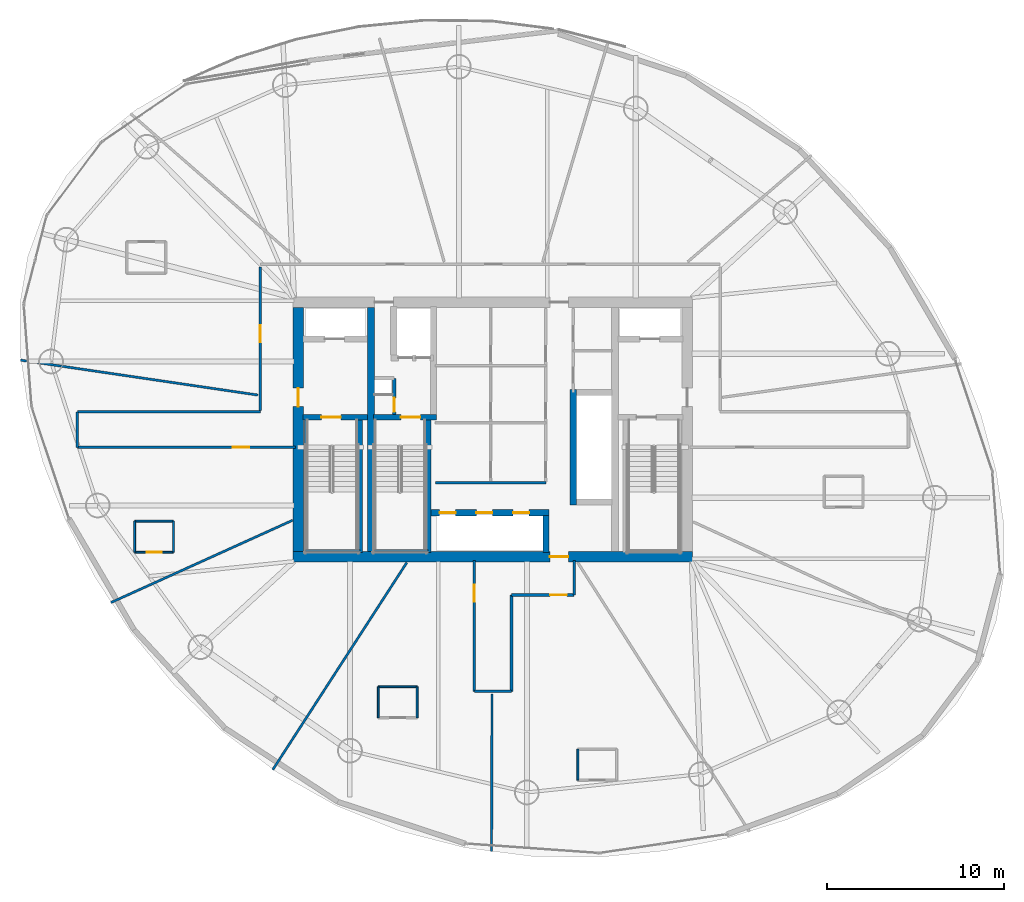
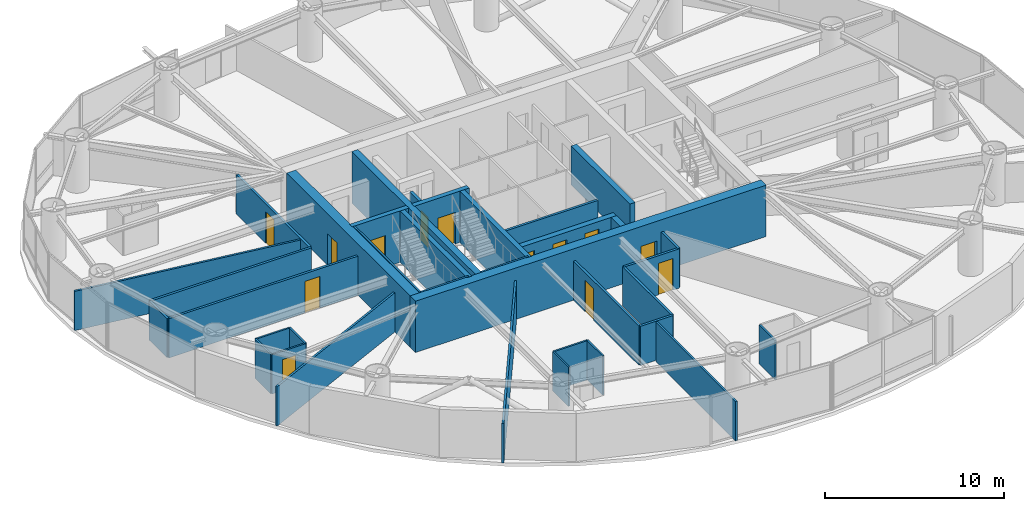
# One storey, part 17 of 22: 36 walls, 13 doors, 13 openings.
"""IFC4 building model written with IfcOpenShell, lengths in metres."""

from ifc_helpers import new_model, si_unit, direction, frame, frame_2d, origin, place, context, subcontext, project, spatial, rectangle, extrude, material, layer, layer_set, type_object, element, fill, save


model = new_model("IFC4")

# Units and contexts
model_context = context("Model", 3, precision=1e-05, world=origin(), true_north=direction((0.0, 1.0)))
body_context = subcontext(model_context, "Body", "Model", "MODEL_VIEW")
ifc_project = project(units=[si_unit("LENGTHUNIT", "METRE"), si_unit("AREAUNIT", "SQUARE_METRE"), si_unit("VOLUMEUNIT", "CUBIC_METRE"), si_unit("PLANEANGLEUNIT", "RADIAN"), si_unit("MASSUNIT", "GRAM", prefix="KILO")], contexts=[model_context])

# Site, building, storey
site_placement = place(None, origin())
site = spatial("IfcSite", under=ifc_project, at=site_placement, CompositionType="ELEMENT")
building_placement = place(site_placement, origin())
building = spatial("IfcBuilding", under=site, at=building_placement, Name="Bramvorn Convention Spire", CompositionType="ELEMENT")
storey_placement = place(building_placement, frame((0.0, 0.0, 134.300048828125)))
storey = spatial("IfcBuildingStorey", under=building, at=storey_placement, Name="L33", CompositionType="ELEMENT", Elevation=134.300048828125)

# Wall, opening, door
ifc_material_1 = material(Name="Concrete C60/70", Category="concrete")
ifc_layer_1 = layer(ifc_material_1, 0.60009765625)
ifc_layer_set_1 = layer_set([ifc_layer_1], Name="Concrete C60/70 - WL-CORE-600")
wall_type_1 = type_object("IfcWallType", Name="WL-CORE-600", PredefinedType="SHEAR", material=ifc_layer_set_1)
wall_1_placement = place(storey_placement, frame((26.699951171875, 18.800048828125, 0.0), z_axis=(0.0, 0.0, 1.0), x_axis=(1.0, 0.0, 0.0)))
wall_1 = element("IfcWall", 1, at=wall_1_placement, inside=storey, type_object=wall_type_1, Name="L33 South RC core shear wall", PredefinedType="SHEAR", context=body_context, shape_type="SweptSolid", body=[
    extrude(rectangle(XDim=22.60009765625, YDim=0.60009765625, at=frame_2d((11.300048828125, 0.0))), origin(), (0.0, 0.0, 1.0), 3.5),
])
opening_1_placement = place(wall_1_placement, frame((14.52001953125, 0.0, 0.0)))
opening_1 = element("IfcOpeningElement", 2, at=opening_1_placement, cuts=wall_1, Name="Opening DL-105", PredefinedType="OPENING", context=body_context, shape_type="SweptSolid", body=[
    extrude(rectangle(XDim=1.050048828125, YDim=2.14990234375, at=frame_2d((0.52490234375, 1.074951171875))), frame((0.0, 0.31005859375, 0.0), z_axis=(0.0, -1.0, 0.0), x_axis=(1.0, 0.0, 0.0)), (0.0, 0.0, 1.0), 0.6201171875),
])
ifc_material_2 = material(Name="Smoke-Sealed Fire Lobby Timber-Core Door", Category="wood")
door_type_1 = type_object("IfcDoorType", Name="DR-LOBBY-1050", OperationType="NOTDEFINED", PredefinedType="DOOR", material=ifc_material_2)
door_1_placement = place(opening_1_placement, origin())
door_1 = element("IfcDoor", 3, at=door_1_placement, inside=storey, type_object=door_type_1, Name="L33 South Lift Lobby fire door", OperationType="SINGLE_SWING_RIGHT", OverallHeight=2.14990234375, OverallWidth=1.050048828125, PredefinedType="DOOR", context=body_context, shape_type="SweptSolid", body=[
    extrude(rectangle(XDim=1.050048828125, YDim=2.14990234375, at=frame_2d((0.52490234375, 1.074951171875))), frame((0.0, 0.02490234375, 0.0), z_axis=(0.0, -1.0, 0.0), x_axis=(1.0, 0.0, 0.0)), (0.0, 0.0, 1.0), 0.050048828125),
])
fill(opening_1, door_1)

wall_2_placement = place(storey_placement, frame((27.0, 19.10009765625, 0.0), z_axis=(0.0, 0.0, 1.0), x_axis=(0.0, 1.0, 0.0)))
wall_2 = element("IfcWall", 4, at=wall_2_placement, inside=storey, type_object=wall_type_1, Name="L33 West RC core shear wall", PredefinedType="SHEAR", context=body_context, shape_type="SweptSolid", body=[
    extrude(rectangle(XDim=13.7998046875, YDim=0.60009765625, at=frame_2d((6.89990234375, 0.0))), origin(), (0.0, 0.0, 1.0), 3.5),
])
opening_2_placement = place(wall_2_placement, frame((8.199951171875, 0.0, 0.0)))
opening_2 = element("IfcOpeningElement", 5, at=opening_2_placement, cuts=wall_2, Name="Opening DL-105", PredefinedType="OPENING", context=body_context, shape_type="SweptSolid", body=[
    extrude(rectangle(XDim=1.050048828125, YDim=2.14990234375, at=frame_2d((0.52490234375, 1.074951171875))), frame((0.0, 0.31005859375, 0.0), z_axis=(0.0, -1.0, 0.0), x_axis=(1.0, 0.0, 0.0)), (0.0, 0.0, 1.0), 0.6201171875),
])
door_2_placement = place(opening_2_placement, origin())
door_2 = element("IfcDoor", 6, at=door_2_placement, inside=storey, type_object=door_type_1, Name="L33 West Firefighting Lobby corridor door", OperationType="SINGLE_SWING_RIGHT", OverallHeight=2.14990234375, OverallWidth=1.050048828125, PredefinedType="DOOR", context=body_context, shape_type="SweptSolid", body=[
    extrude(rectangle(XDim=1.050048828125, YDim=2.14990234375, at=frame_2d((0.52490234375, 1.074951171875))), frame((0.0, 0.02490234375, 0.0), z_axis=(0.0, -1.0, 0.0), x_axis=(1.0, 0.0, 0.0)), (0.0, 0.0, 1.0), 0.050048828125),
])
fill(opening_2, door_2)

# Wall
ifc_material_3 = material(Name="Concrete C50/60", Category="concrete")
ifc_layer_2 = layer(ifc_material_3, 0.35009765625)
ifc_layer_set_2 = layer_set([ifc_layer_2], Name="Concrete C50/60 - WL-CORE-INT-350")
wall_type_2 = type_object("IfcWallType", Name="WL-CORE-INT-350", PredefinedType="SHEAR", material=ifc_layer_set_2)
wall_3_placement = place(storey_placement, frame((42.550048828125, 21.72998046875, 0.0), z_axis=(0.0, 0.0, 1.0), x_axis=(0.0, 1.0, 0.0)))
element("IfcWall", 7, at=wall_3_placement, inside=storey, type_object=wall_type_2, Name="L33 High-rise lift bank west wall", PredefinedType="SHEAR", context=body_context, shape_type="SweptSolid", body=[
    extrude(rectangle(XDim=6.5400390625, YDim=0.35009765625, at=frame_2d((3.27001953125, 0.0))), origin(), (0.0, 0.0, 1.0), 2.675048828125),
])

# Wall, openings, doors
wall_4_placement = place(storey_placement, frame((34.489990234375, 21.300048828125, 0.0), z_axis=(0.0, 0.0, 1.0), x_axis=(1.0, 0.0, 0.0)))
wall_4 = element("IfcWall", 8, at=wall_4_placement, inside=storey, type_object=wall_type_2, Name="L33 Mid-rise bank north landing wall", PredefinedType="SHEAR", context=body_context, shape_type="SweptSolid", body=[
    extrude(rectangle(XDim=6.679931640625, YDim=0.35009765625, at=frame_2d((3.33984375, 0.0))), origin(), (0.0, 0.0, 1.0), 2.675048828125),
])
opening_3_placement = place(wall_4_placement, frame((0.5, 0.0, 0.0)))
opening_3 = element("IfcOpeningElement", 9, at=opening_3_placement, cuts=wall_4, Name="Opening LD-090", PredefinedType="OPENING", context=body_context, shape_type="SweptSolid", body=[
    extrude(rectangle(XDim=0.89990234375, YDim=2.14990234375, at=frame_2d((0.449951171875, 1.074951171875))), frame((0.0, 0.18505859375, 0.0), z_axis=(0.0, -1.0, 0.0), x_axis=(1.0, 0.0, 0.0)), (0.0, 0.0, 1.0), 0.3701171875),
])
opening_4_placement = place(wall_4_placement, frame((2.580078125, 0.0, 0.0)))
opening_4 = element("IfcOpeningElement", 10, at=opening_4_placement, cuts=wall_4, Name="Opening LD-090", PredefinedType="OPENING", context=body_context, shape_type="SweptSolid", body=[
    extrude(rectangle(XDim=0.89990234375, YDim=2.14990234375, at=frame_2d((0.449951171875, 1.074951171875))), frame((0.0, 0.18505859375, 0.0), z_axis=(0.0, -1.0, 0.0), x_axis=(1.0, 0.0, 0.0)), (0.0, 0.0, 1.0), 0.3701171875),
])
opening_5_placement = place(wall_4_placement, frame((4.659912109375, 0.0, 0.0)))
opening_5 = element("IfcOpeningElement", 11, at=opening_5_placement, cuts=wall_4, Name="Opening LD-090", PredefinedType="OPENING", context=body_context, shape_type="SweptSolid", body=[
    extrude(rectangle(XDim=0.89990234375, YDim=2.14990234375, at=frame_2d((0.449951171875, 1.074951171875))), frame((0.0, 0.18505859375, 0.0), z_axis=(0.0, -1.0, 0.0), x_axis=(1.0, 0.0, 0.0)), (0.0, 0.0, 1.0), 0.3701171875),
])
ifc_material_4 = material(Name="Bi-Parting Fire-Rated Lift Landing Door", Category="steel")
door_type_2 = type_object("IfcDoorType", Name="DR-LIFT-LD-900", OperationType="NOTDEFINED", PredefinedType="DOOR", material=ifc_material_4)
door_3_placement = place(opening_3_placement, origin())
door_3 = element("IfcDoor", 12, at=door_3_placement, inside=storey, type_object=door_type_2, Name="L33 Lift PM1 Sliding Landing Door", OperationType="SLIDING_TO_LEFT", OverallHeight=2.14990234375, OverallWidth=0.89990234375, PredefinedType="DOOR", context=body_context, shape_type="SweptSolid", body=[
    extrude(rectangle(XDim=0.89990234375, YDim=2.14990234375, at=frame_2d((0.449951171875, 1.074951171875))), frame((0.0, 0.02490234375, 0.0), z_axis=(0.0, -1.0, 0.0), x_axis=(1.0, 0.0, 0.0)), (0.0, 0.0, 1.0), 0.050048828125),
])
fill(opening_3, door_3)
door_4_placement = place(opening_4_placement, origin())
door_4 = element("IfcDoor", 13, at=door_4_placement, inside=storey, type_object=door_type_2, Name="L33 Lift PM2 Sliding Landing Door", OperationType="SLIDING_TO_LEFT", OverallHeight=2.14990234375, OverallWidth=0.89990234375, PredefinedType="DOOR", context=body_context, shape_type="SweptSolid", body=[
    extrude(rectangle(XDim=0.89990234375, YDim=2.14990234375, at=frame_2d((0.449951171875, 1.074951171875))), frame((0.0, 0.02490234375, 0.0), z_axis=(0.0, -1.0, 0.0), x_axis=(1.0, 0.0, 0.0)), (0.0, 0.0, 1.0), 0.050048828125),
])
fill(opening_4, door_4)
door_5_placement = place(opening_5_placement, origin())
door_5 = element("IfcDoor", 14, at=door_5_placement, inside=storey, type_object=door_type_2, Name="L33 Lift PM3 Sliding Landing Door", OperationType="SLIDING_TO_LEFT", OverallHeight=2.14990234375, OverallWidth=0.89990234375, PredefinedType="DOOR", context=body_context, shape_type="SweptSolid", body=[
    extrude(rectangle(XDim=0.89990234375, YDim=2.14990234375, at=frame_2d((0.449951171875, 1.074951171875))), frame((0.0, 0.02490234375, 0.0), z_axis=(0.0, -1.0, 0.0), x_axis=(1.0, 0.0, 0.0)), (0.0, 0.0, 1.0), 0.050048828125),
])
fill(opening_5, door_5)

# Walls
wall_5_placement = place(storey_placement, frame((41.0, 19.050048828125, 0.0), z_axis=(0.0, 0.0, 1.0), x_axis=(0.0, 1.0, 0.0)))
element("IfcWall", 15, at=wall_5_placement, inside=storey, type_object=wall_type_2, Name="L33 Mid-rise bank east cheek wall", PredefinedType="SHEAR", context=body_context, shape_type="SweptSolid", body=[
    extrude(rectangle(XDim=2.079833984375, YDim=0.35009765625, at=frame_2d((1.0400390625, 0.0))), origin(), (0.0, 0.0, 1.0), 2.675048828125),
])
ifc_layer_3 = layer(ifc_material_1, 0.39990234375)
ifc_layer_set_3 = layer_set([ifc_layer_3], Name="Concrete C60/70 - WL-CORE-INT-400")
wall_type_3 = type_object("IfcWallType", Name="WL-CORE-INT-400", PredefinedType="SHEAR", material=ifc_layer_set_3)
wall_6_placement = place(storey_placement, frame((31.10009765625, 19.10009765625, 0.0), z_axis=(0.0, 0.0, 1.0), x_axis=(0.0, 1.0, 0.0)))
element("IfcWall", 16, at=wall_6_placement, inside=storey, type_object=wall_type_3, Name="L33 West internal core shear web", PredefinedType="SHEAR", context=body_context, shape_type="SweptSolid", body=[
    extrude(rectangle(XDim=13.7998046875, YDim=0.39990234375, at=frame_2d((6.89990234375, 0.0))), origin(), (0.0, 0.0, 1.0), 3.5),
])

# Wall, opening, door
ifc_material_5 = material(Name="Lightweight En-Suite & Wet-Wall Partition", Category="gypsum")
ifc_layer_4 = layer(ifc_material_5, 0.110107421875)
ifc_layer_set_4 = layer_set([ifc_layer_4], Name="Lightweight En-Suite & Wet-Wall Partition - WL-PART-110")
wall_type_4 = type_object("IfcWallType", Name="WL-PART-110", PredefinedType="PARTITIONING", material=ifc_layer_set_4)
wall_7_placement = place(storey_placement, frame((17.73974609375, 19.06591796875, 0.0), z_axis=(0.0, 0.0, 1.0), x_axis=(1.0, 0.0, 0.0)))
wall_7 = element("IfcWall", 17, at=wall_7_placement, inside=storey, type_object=wall_type_4, Name="Hotel Suite 3306 en-suite south wall", PredefinedType="PARTITIONING", context=body_context, shape_type="SweptSolid", body=[
    extrude(rectangle(XDim=2.199951171875, YDim=0.110107421875, at=frame_2d((1.10009765625, 0.0))), origin(), (0.0, 0.0, 1.0), 2.675048828125),
])
opening_6_placement = place(wall_7_placement, frame((0.679931640625, 0.0, 0.0)))
opening_6 = element("IfcOpeningElement", 18, at=opening_6_placement, cuts=wall_7, Name="Opening DI-085", PredefinedType="OPENING", context=body_context, shape_type="SweptSolid", body=[
    extrude(rectangle(XDim=0.85009765625, YDim=2.10009765625, at=frame_2d((0.425048828125, 1.050048828125))), frame((0.0, 0.06494140625, 0.0), z_axis=(0.0, -1.0, 0.0), x_axis=(1.0, 0.0, 0.0)), (0.0, 0.0, 1.0), 0.130126953125),
])
ifc_material_6 = material(Name="En-Suite & Restroom Privacy Door", Category="wood")
door_type_3 = type_object("IfcDoorType", Name="DR-INT-850", OperationType="NOTDEFINED", PredefinedType="DOOR", material=ifc_material_6)
door_6_placement = place(opening_6_placement, origin())
door_6 = element("IfcDoor", 19, at=door_6_placement, inside=storey, type_object=door_type_3, Name="Hotel Suite 3306 En-Suite Bathroom door", OperationType="SINGLE_SWING_LEFT", OverallHeight=2.10009765625, OverallWidth=0.85009765625, PredefinedType="DOOR", context=body_context, shape_type="SweptSolid", body=[
    extrude(rectangle(XDim=0.85009765625, YDim=2.10009765625, at=frame_2d((0.425048828125, 1.050048828125))), frame((0.0, 0.02490234375, 0.0), z_axis=(0.0, -1.0, 0.0), x_axis=(1.0, 0.0, 0.0)), (0.0, 0.0, 1.0), 0.050048828125),
])
fill(opening_6, door_6)

# Walls
wall_8_placement = place(storey_placement, frame((17.73974609375, 20.82568359375, 0.0), z_axis=(0.0, 0.0, 1.0), x_axis=(1.0, 0.0, 0.0)))
element("IfcWall", 20, at=wall_8_placement, inside=storey, type_object=wall_type_4, Name="Hotel Suite 3306 en-suite north wall", PredefinedType="PARTITIONING", context=body_context, shape_type="SweptSolid", body=[
    extrude(rectangle(XDim=2.199951171875, YDim=0.110107421875, at=frame_2d((1.10009765625, 0.0))), origin(), (0.0, 0.0, 1.0), 2.675048828125),
])
for number, where, z_axis, x_axis, name in (
    (21, (17.73974609375, 19.06591796875, 0.0), (0.0, 0.0, 1.0), (0.0, 1.0, 0.0), "Hotel Suite 3306 en-suite west wall"),
    (22, (19.939697265625, 19.06591796875, 0.0), (0.0, 0.0, 1.0), (0.0, 1.0, 0.0), "Hotel Suite 3306 en-suite east wall"),
):
    element("IfcWall", number, at=place(storey_placement, frame(where, z_axis=z_axis, x_axis=x_axis)), inside=storey, type_object=wall_type_4, Name=name, PredefinedType="PARTITIONING", context=body_context, shape_type="SweptSolid", body=[
        extrude(rectangle(XDim=1.759765625, YDim=0.110107421875, at=frame_2d((0.8798828125, 0.0))), origin(), (0.0, 0.0, 1.0), 2.675048828125),
    ])
wall_9_placement = place(storey_placement, frame((31.518310546875, 11.45849609375, 0.0), z_axis=(0.0, 0.0, 1.0), x_axis=(1.0, 0.0, 0.0)))
element("IfcWall", 23, at=wall_9_placement, inside=storey, type_object=wall_type_4, Name="Hotel Suite 3308 en-suite north wall", PredefinedType="PARTITIONING", context=body_context, shape_type="SweptSolid", body=[
    extrude(rectangle(XDim=2.199951171875, YDim=0.110107421875, at=frame_2d((1.10009765625, 0.0))), origin(), (0.0, 0.0, 1.0), 2.675048828125),
])
for number, where, z_axis, x_axis, name in (
    (24, (31.518310546875, 9.698486328125, 0.0), (0.0, 0.0, 1.0), (0.0, 1.0, 0.0), "Hotel Suite 3308 en-suite west wall"),
    (25, (33.71826171875, 9.698486328125, 0.0), (0.0, 0.0, 1.0), (0.0, 1.0, 0.0), "Hotel Suite 3308 en-suite east wall"),
    (26, (42.803466796875, 6.1748046875, 0.0), (0.0, 0.0, 1.0), (0.0, 1.0, 0.0), "Hotel Suite 3309 en-suite west wall"),
):
    element("IfcWall", number, at=place(storey_placement, frame(where, z_axis=z_axis, x_axis=x_axis)), inside=storey, type_object=wall_type_4, Name=name, PredefinedType="PARTITIONING", context=body_context, shape_type="SweptSolid", body=[
        extrude(rectangle(XDim=1.760009765625, YDim=0.110107421875, at=frame_2d((0.8798828125, 0.0))), origin(), (0.0, 0.0, 1.0), 2.675048828125),
    ])
ifc_material_7 = material(Name="Metal-Stud Demountable Office Partition", Category="gypsum")
ifc_layer_5 = layer(ifc_material_7, 0.1298828125)
ifc_layer_set_5 = layer_set([ifc_layer_5], Name="Metal-Stud Demountable Office Partition - WL-PART-130")
wall_type_5 = type_object("IfcWallType", Name="WL-PART-130", PredefinedType="PARTITIONING", material=ifc_layer_set_5)
wall_10_placement = place(storey_placement, frame((24.7099609375, 27.953857421875, 0.0), z_axis=(0.0, 0.0, 1.0), x_axis=(-0.989363707992, 0.145462893234, 0.0)))
element("IfcWall", 27, at=wall_10_placement, inside=storey, type_object=wall_type_5, Name="L33 Guestroom demising wall 6", PredefinedType="PARTITIONING", context=body_context, shape_type="SweptSolid", body=[
    extrude(rectangle(XDim=13.561279296875, YDim=0.1298828125, at=frame_2d((6.78076171875, 0.0))), origin(), (0.0, 0.0, 1.0), 2.675048828125),
])
wall_11_placement = place(storey_placement, frame((26.679931640625, 20.873779296875, 0.0), z_axis=(0.0, 0.0, 1.0), x_axis=(-0.910944210003, -0.412529570166, 0.0)))
element("IfcWall", 28, at=wall_11_placement, inside=storey, type_object=wall_type_5, Name="L33 Guestroom demising wall 7", PredefinedType="PARTITIONING", context=body_context, shape_type="SweptSolid", body=[
    extrude(rectangle(XDim=11.285400390625, YDim=0.1298828125, at=frame_2d((5.642578125, 0.0))), origin(), (0.0, 0.0, 1.0), 2.675048828125),
])
wall_12_placement = place(storey_placement, frame((33.13330078125, 18.47998046875, 0.0), z_axis=(0.0, 0.0, 1.0), x_axis=(-0.543297694795, -0.839540121037, 0.0)))
element("IfcWall", 29, at=wall_12_placement, inside=storey, type_object=wall_type_5, Name="L33 Guestroom demising wall 8", PredefinedType="PARTITIONING", context=body_context, shape_type="SweptSolid", body=[
    extrude(rectangle(XDim=13.957275390625, YDim=0.1298828125, at=frame_2d((6.978515625, 0.0))), origin(), (0.0, 0.0, 1.0), 2.675048828125),
])
wall_13_placement = place(storey_placement, frame((37.95263671875, 11.06005859375, 0.0), z_axis=(0.0, 0.0, 1.0), x_axis=(-0.00317137591, -0.999994971175, 0.0)))
element("IfcWall", 30, at=wall_13_placement, inside=storey, type_object=wall_type_5, Name="L33 Guestroom demising wall 9", PredefinedType="PARTITIONING", context=body_context, shape_type="SweptSolid", body=[
    extrude(rectangle(XDim=8.929931640625, YDim=0.1298828125, at=frame_2d((4.46484375, 0.0))), origin(), (0.0, 0.0, 1.0), 2.675048828125),
])
ifc_material_8 = material(Name="Acoustic Metal-Stud Tenant/Corridor Partition", Category="gypsum")
ifc_layer_6 = layer(ifc_material_8, 0.14990234375)
ifc_layer_set_6 = layer_set([ifc_layer_6], Name="Acoustic Metal-Stud Tenant/Corridor Partition - WL-PART-150")
wall_type_6 = type_object("IfcWallType", Name="WL-PART-150", PredefinedType="PARTITIONING", material=ifc_layer_set_6)
wall_14_placement = place(storey_placement, frame((34.75, 23.0, 0.0), z_axis=(0.0, 0.0, 1.0), x_axis=(1.0, 0.0, 0.0)))
element("IfcWall", 31, at=wall_14_placement, inside=storey, type_object=wall_type_6, Name="L33 Mid-rise lift vestibule north wall", PredefinedType="PARTITIONING", context=body_context, shape_type="SweptSolid", body=[
    extrude(rectangle(XDim=6.25, YDim=0.14990234375, at=frame_2d((3.125, 0.0))), origin(), (0.0, 0.0, 1.0), 2.675048828125),
])

# Wall, opening, door
wall_15_placement = place(storey_placement, frame((24.85009765625, 27.080078125, 0.0), z_axis=(0.0, 0.0, 1.0), x_axis=(0.0, 1.0, 0.0)))
wall_15 = element("IfcWall", 32, at=wall_15_placement, inside=storey, type_object=wall_type_6, Name="L33 NW gallery cheek", PredefinedType="PARTITIONING", context=body_context, shape_type="SweptSolid", body=[
    extrude(rectangle(XDim=8.119873046875, YDim=0.14990234375, at=frame_2d((4.06005859375, 0.0))), origin(), (0.0, 0.0, 1.0), 2.675048828125),
])
opening_7_placement = place(wall_15_placement, frame((3.872314453125, 0.0, 0.0)))
opening_7 = element("IfcOpeningElement", 33, at=opening_7_placement, cuts=wall_15, Name="Opening DH-095", PredefinedType="OPENING", context=body_context, shape_type="SweptSolid", body=[
    extrude(rectangle(XDim=0.949951171875, YDim=2.14990234375, at=frame_2d((0.47509765625, 1.074951171875))), frame((0.0, 0.0849609375, 0.0), z_axis=(0.0, -1.0, 0.0), x_axis=(1.0, 0.0, 0.0)), (0.0, 0.0, 1.0), 0.169921875),
])
ifc_material_9 = material(Name="Solid-Core Acoustic Guestroom Entry Door", Category="wood")
door_type_4 = type_object("IfcDoorType", Name="DR-HOTEL-950", OperationType="NOTDEFINED", PredefinedType="DOOR", material=ifc_material_9)
door_7_placement = place(opening_7_placement, origin())
door_7 = element("IfcDoor", 34, at=door_7_placement, inside=storey, type_object=door_type_4, Name="Hotel Suite 3305 entry door", OperationType="SINGLE_SWING_LEFT", OverallHeight=2.14990234375, OverallWidth=0.949951171875, PredefinedType="DOOR", context=body_context, shape_type="SweptSolid", body=[
    extrude(rectangle(XDim=0.949951171875, YDim=2.14990234375, at=frame_2d((0.47509765625, 1.074951171875))), frame((0.0, 0.02490234375, 0.0), z_axis=(0.0, -1.0, 0.0), x_axis=(1.0, 0.0, 0.0)), (0.0, 0.0, 1.0), 0.050048828125),
])
fill(opening_7, door_7)

# Wall
wall_16_placement = place(storey_placement, frame((14.5, 27.0, 0.0), z_axis=(0.0, 0.0, 1.0), x_axis=(1.0, 0.0, 0.0)))
element("IfcWall", 35, at=wall_16_placement, inside=storey, type_object=wall_type_6, Name="L33 West wing spine north wall", PredefinedType="PARTITIONING", context=body_context, shape_type="SweptSolid", body=[
    extrude(rectangle(XDim=10.35009765625, YDim=0.14990234375, at=frame_2d((5.175048828125, 0.0))), origin(), (0.0, 0.0, 1.0), 2.675048828125),
])

# Wall, opening, door
wall_17_placement = place(storey_placement, frame((14.5, 25.0, 0.0), z_axis=(0.0, 0.0, 1.0), x_axis=(1.0, 0.0, 0.0)))
wall_17 = element("IfcWall", 36, at=wall_17_placement, inside=storey, type_object=wall_type_6, Name="L33 West wing spine south wall", PredefinedType="PARTITIONING", context=body_context, shape_type="SweptSolid", body=[
    extrude(rectangle(XDim=12.35009765625, YDim=0.14990234375, at=frame_2d((6.175048828125, 0.0))), origin(), (0.0, 0.0, 1.0), 2.675048828125),
])
opening_8_placement = place(wall_17_placement, frame((8.78759765625, 0.0, 0.0)))
opening_8 = element("IfcOpeningElement", 37, at=opening_8_placement, cuts=wall_17, Name="Opening DH-095", PredefinedType="OPENING", context=body_context, shape_type="SweptSolid", body=[
    extrude(rectangle(XDim=0.949951171875, YDim=2.14990234375, at=frame_2d((0.47509765625, 1.074951171875))), frame((0.0, 0.0849609375, 0.0), z_axis=(0.0, -1.0, 0.0), x_axis=(1.0, 0.0, 0.0)), (0.0, 0.0, 1.0), 0.169921875),
])
door_8_placement = place(opening_8_placement, origin())
door_8 = element("IfcDoor", 38, at=door_8_placement, inside=storey, type_object=door_type_4, Name="Hotel Suite 3306 entry door", OperationType="SINGLE_SWING_RIGHT", OverallHeight=2.14990234375, OverallWidth=0.949951171875, PredefinedType="DOOR", context=body_context, shape_type="SweptSolid", body=[
    extrude(rectangle(XDim=0.949951171875, YDim=2.14990234375, at=frame_2d((0.47509765625, 1.074951171875))), frame((0.0, 0.02490234375, 0.0), z_axis=(0.0, -1.0, 0.0), x_axis=(1.0, 0.0, 0.0)), (0.0, 0.0, 1.0), 0.050048828125),
])
fill(opening_8, door_8)

# Wall
wall_18_placement = place(storey_placement, frame((14.5, 25.0, 0.0), z_axis=(0.0, 0.0, 1.0), x_axis=(0.0, 1.0, 0.0)))
element("IfcWall", 39, at=wall_18_placement, inside=storey, type_object=wall_type_6, Name="L33 West wing spine end wall", PredefinedType="PARTITIONING", context=body_context, shape_type="SweptSolid", body=[
    extrude(rectangle(XDim=2.0, YDim=0.14990234375, at=frame_2d((1.0, 0.0))), origin(), (0.0, 0.0, 1.0), 2.675048828125),
])

# Wall, opening, door
wall_19_placement = place(storey_placement, frame((36.949951171875, 11.199951171875, 0.0), z_axis=(0.0, 0.0, 1.0), x_axis=(0.0, 1.0, 0.0)))
wall_19 = element("IfcWall", 40, at=wall_19_placement, inside=storey, type_object=wall_type_6, Name="L33 South axial spine west wall", PredefinedType="PARTITIONING", context=body_context, shape_type="SweptSolid", body=[
    extrude(rectangle(XDim=7.400146484375, YDim=0.14990234375, at=frame_2d((3.7001953125, 0.0))), origin(), (0.0, 0.0, 1.0), 2.675048828125),
])
opening_9_placement = place(wall_19_placement, frame((5.074951171875, 0.0, 0.0)))
opening_9 = element("IfcOpeningElement", 41, at=opening_9_placement, cuts=wall_19, Name="Opening DH-095", PredefinedType="OPENING", context=body_context, shape_type="SweptSolid", body=[
    extrude(rectangle(XDim=0.949951171875, YDim=2.14990234375, at=frame_2d((0.47509765625, 1.074951171875))), frame((0.0, 0.0849609375, 0.0), z_axis=(0.0, -1.0, 0.0), x_axis=(1.0, 0.0, 0.0)), (0.0, 0.0, 1.0), 0.169921875),
])
door_9_placement = place(opening_9_placement, origin())
door_9 = element("IfcDoor", 42, at=door_9_placement, inside=storey, type_object=door_type_4, Name="Hotel Suite 3308 entry door", OperationType="SINGLE_SWING_RIGHT", OverallHeight=2.14990234375, OverallWidth=0.949951171875, PredefinedType="DOOR", context=body_context, shape_type="SweptSolid", body=[
    extrude(rectangle(XDim=0.949951171875, YDim=2.14990234375, at=frame_2d((0.47509765625, 1.074951171875))), frame((0.0, 0.02490234375, 0.0), z_axis=(0.0, -1.0, 0.0), x_axis=(1.0, 0.0, 0.0)), (0.0, 0.0, 1.0), 0.050048828125),
])
fill(opening_9, door_9)

# Wall
wall_20_placement = place(storey_placement, frame((39.050048828125, 11.199951171875, 0.0), z_axis=(0.0, 0.0, 1.0), x_axis=(0.0, 1.0, 0.0)))
element("IfcWall", 43, at=wall_20_placement, inside=storey, type_object=wall_type_6, Name="L33 South axial spine east wall", PredefinedType="PARTITIONING", context=body_context, shape_type="SweptSolid", body=[
    extrude(rectangle(XDim=5.449951171875, YDim=0.14990234375, at=frame_2d((2.72509765625, 0.0))), origin(), (0.0, 0.0, 1.0), 2.675048828125),
])

# Wall, opening, door
wall_21_placement = place(storey_placement, frame((39.050048828125, 16.64990234375, 0.0), z_axis=(0.0, 0.0, 1.0), x_axis=(1.0, 0.0, 0.0)))
wall_21 = element("IfcWall", 44, at=wall_21_placement, inside=storey, type_object=wall_type_6, Name="L33 South lift lobby link wall", PredefinedType="PARTITIONING", context=body_context, shape_type="SweptSolid", body=[
    extrude(rectangle(XDim=3.550048828125, YDim=0.14990234375, at=frame_2d((1.77490234375, 0.0))), origin(), (0.0, 0.0, 1.0), 2.675048828125),
])
opening_10_placement = place(wall_21_placement, frame((2.1875, 0.0, 0.0)))
opening_10 = element("IfcOpeningElement", 45, at=opening_10_placement, cuts=wall_21, Name="Opening DH-095", PredefinedType="OPENING", context=body_context, shape_type="SweptSolid", body=[
    extrude(rectangle(XDim=0.949951171875, YDim=2.14990234375, at=frame_2d((0.47509765625, 1.074951171875))), frame((0.0, 0.0849609375, 0.0), z_axis=(0.0, -1.0, 0.0), x_axis=(1.0, 0.0, 0.0)), (0.0, 0.0, 1.0), 0.169921875),
])
door_10_placement = place(opening_10_placement, origin())
door_10 = element("IfcDoor", 46, at=door_10_placement, inside=storey, type_object=door_type_4, Name="Hotel Suite 3309 entry door", OperationType="SINGLE_SWING_LEFT", OverallHeight=2.14990234375, OverallWidth=0.949951171875, PredefinedType="DOOR", context=body_context, shape_type="SweptSolid", body=[
    extrude(rectangle(XDim=0.949951171875, YDim=2.14990234375, at=frame_2d((0.47509765625, 1.074951171875))), frame((0.0, 0.02490234375, 0.0), z_axis=(0.0, -1.0, 0.0), x_axis=(1.0, 0.0, 0.0)), (0.0, 0.0, 1.0), 0.050048828125),
])
fill(opening_10, door_10)

# Walls
wall_22_placement = place(storey_placement, frame((42.60009765625, 16.64990234375, 0.0), z_axis=(0.0, 0.0, 1.0), x_axis=(0.0, 1.0, 0.0)))
element("IfcWall", 47, at=wall_22_placement, inside=storey, type_object=wall_type_6, Name="L33 South lift lobby east cheek", PredefinedType="PARTITIONING", context=body_context, shape_type="SweptSolid", body=[
    extrude(rectangle(XDim=1.9501953125, YDim=0.14990234375, at=frame_2d((0.97509765625, 0.0))), origin(), (0.0, 0.0, 1.0), 2.675048828125),
])
wall_23_placement = place(storey_placement, frame((36.949951171875, 11.199951171875, 0.0), z_axis=(0.0, 0.0, 1.0), x_axis=(1.0, 0.0, 0.0)))
element("IfcWall", 48, at=wall_23_placement, inside=storey, type_object=wall_type_6, Name="L33 South axial spine end wall", PredefinedType="PARTITIONING", context=body_context, shape_type="SweptSolid", body=[
    extrude(rectangle(XDim=2.10009765625, YDim=0.14990234375, at=frame_2d((1.050048828125, 0.0))), origin(), (0.0, 0.0, 1.0), 2.675048828125),
])

# Wall, opening, door
ifc_material_10 = material(Name="Gypsum Shaftwall & Rockwool Core Partition", Category="gypsum")
ifc_layer_7 = layer(ifc_material_10, 0.199951171875)
ifc_layer_set_7 = layer_set([ifc_layer_7], Name="Gypsum Shaftwall & Rockwool Core Partition - WL-PART-200-FR")
wall_type_7 = type_object("IfcWallType", Name="WL-PART-200-FR", PredefinedType="PARTITIONING", material=ifc_layer_set_7)
wall_24_placement = place(storey_placement, frame((32.419921875, 26.860107421875, 0.0), z_axis=(0.0, 0.0, 1.0), x_axis=(0.0, 1.0, 0.0)))
wall_24 = element("IfcWall", 49, at=wall_24_placement, inside=storey, type_object=wall_type_7, Name="L33 Telecom riser east wall", PredefinedType="PARTITIONING", context=body_context, shape_type="SweptSolid", body=[
    extrude(rectangle(XDim=2.039794921875, YDim=0.199951171875, at=frame_2d((1.02001953125, 0.0))), origin(), (0.0, 0.0, 1.0), 2.675048828125),
])
opening_11_placement = place(wall_24_placement, frame((0.139892578125, 0.0, 0.0)))
opening_11 = element("IfcOpeningElement", 50, at=opening_11_placement, cuts=wall_24, Name="Opening DR-080", PredefinedType="OPENING", context=body_context, shape_type="SweptSolid", body=[
    extrude(rectangle(XDim=0.800048828125, YDim=2.050048828125, at=frame_2d((0.39990234375, 1.02490234375))), frame((0.0, 0.10986328125, 0.0), z_axis=(0.0, -1.0, 0.0), x_axis=(1.0, 0.0, 0.0)), (0.0, 0.0, 1.0), 0.219970703125),
])
ifc_material_11 = material(Name="Flush Steel Riser Access Door", Category="steel")
door_type_5 = type_object("IfcDoorType", Name="DR-RISER-800", OperationType="NOTDEFINED", PredefinedType="DOOR", material=ifc_material_11)
door_11_placement = place(opening_11_placement, origin())
door_11 = element("IfcDoor", 51, at=door_11_placement, inside=storey, type_object=door_type_5, Name="L33 Telecom riser access door", OperationType="SINGLE_SWING_RIGHT", OverallHeight=2.050048828125, OverallWidth=0.800048828125, PredefinedType="DOOR", context=body_context, shape_type="SweptSolid", body=[
    extrude(rectangle(XDim=0.800048828125, YDim=2.050048828125, at=frame_2d((0.39990234375, 1.02490234375))), frame((0.0, 0.02490234375, 0.0), z_axis=(0.0, -1.0, 0.0), x_axis=(1.0, 0.0, 0.0)), (0.0, 0.0, 1.0), 0.050048828125),
])
fill(opening_11, door_11)

ifc_layer_8 = layer(ifc_material_3, 0.300048828125)
ifc_layer_set_8 = layer_set([ifc_layer_8], Name="Concrete C50/60 - WL-POD-STAIR-300")
wall_type_8 = type_object("IfcWallType", Name="WL-POD-STAIR-300", PredefinedType="SHEAR", material=ifc_layer_set_8)
wall_25_placement = place(storey_placement, frame((27.25, 26.68994140625, 0.0), z_axis=(0.0, 0.0, 1.0), x_axis=(1.0, 0.0, 0.0)))
wall_25 = element("IfcWall", 52, at=wall_25_placement, inside=storey, type_object=wall_type_8, Name="L33 ST1 north fire wall", PredefinedType="SHEAR", context=body_context, shape_type="SweptSolid", body=[
    extrude(rectangle(XDim=3.669921875, YDim=0.300048828125, at=frame_2d((1.8349609375, 0.0))), origin(), (0.0, 0.0, 1.0), 3.5),
])
opening_12_placement = place(wall_25_placement, frame((1.050048828125, 0.0, 0.0)))
opening_12 = element("IfcOpeningElement", 53, at=opening_12_placement, cuts=wall_25, Name="Opening DS-110", PredefinedType="OPENING", context=body_context, shape_type="SweptSolid", body=[
    extrude(rectangle(XDim=1.10009765625, YDim=2.14990234375, at=frame_2d((0.550048828125, 1.074951171875))), frame((0.0, 0.159912109375, 0.0), z_axis=(0.0, -1.0, 0.0), x_axis=(1.0, 0.0, 0.0)), (0.0, 0.0, 1.0), 0.320068359375),
])
ifc_material_12 = material(Name="Fire-Rated Hollow Steel Stairwell Door", Category="steel")
door_type_6 = type_object("IfcDoorType", Name="DR-STAIR-1100", OperationType="NOTDEFINED", PredefinedType="DOOR", material=ifc_material_12)
door_12_placement = place(opening_12_placement, origin())
door_12 = element("IfcDoor", 54, at=door_12_placement, inside=storey, type_object=door_type_6, Name="L33 Stair ST1 fire door", OperationType="SINGLE_SWING_LEFT", OverallHeight=2.14990234375, OverallWidth=1.10009765625, PredefinedType="DOOR", context=body_context, shape_type="SweptSolid", body=[
    extrude(rectangle(XDim=1.10009765625, YDim=2.14990234375, at=frame_2d((0.550048828125, 1.074951171875))), frame((0.0, 0.02490234375, 0.0), z_axis=(0.0, -1.0, 0.0), x_axis=(1.0, 0.0, 0.0)), (0.0, 0.0, 1.0), 0.050048828125),
])
fill(opening_12, door_12)

# Walls
for number, where, z_axis, x_axis, name in (
    (55, (30.489990234375, 19.050048828125, 0.0), (0.0, 0.0, 1.0), (0.0, 1.0, 0.0), "L33 ST1 east bearing wall"),
    (56, (34.340087890625, 19.050048828125, 0.0), (0.0, 0.0, 1.0), (0.0, 1.0, 0.0), "L33 ST3 east bearing wall"),
):
    element("IfcWall", number, at=place(storey_placement, frame(where, z_axis=z_axis, x_axis=x_axis)), inside=storey, type_object=wall_type_8, Name=name, PredefinedType="SHEAR", context=body_context, shape_type="SweptSolid", body=[
        extrude(rectangle(XDim=7.5, YDim=0.300048828125, at=frame_2d((3.75, 0.0))), origin(), (0.0, 0.0, 1.0), 3.5),
    ])

# Wall, opening, door
wall_26_placement = place(storey_placement, frame((31.25, 26.68994140625, 0.0), z_axis=(0.0, 0.0, 1.0), x_axis=(1.0, 0.0, 0.0)))
wall_26 = element("IfcWall", 57, at=wall_26_placement, inside=storey, type_object=wall_type_8, Name="L33 ST3 north lobby wall", PredefinedType="SHEAR", context=body_context, shape_type="SweptSolid", body=[
    extrude(rectangle(XDim=3.56005859375, YDim=0.300048828125, at=frame_2d((1.780029296875, 0.0))), origin(), (0.0, 0.0, 1.0), 3.5),
])
opening_13_placement = place(wall_26_placement, frame((1.550048828125, 0.0, 0.0)))
opening_13 = element("IfcOpeningElement", 58, at=opening_13_placement, cuts=wall_26, Name="Opening DS-110", PredefinedType="OPENING", context=body_context, shape_type="SweptSolid", body=[
    extrude(rectangle(XDim=1.10009765625, YDim=2.14990234375, at=frame_2d((0.550048828125, 1.074951171875))), frame((0.0, 0.159912109375, 0.0), z_axis=(0.0, -1.0, 0.0), x_axis=(1.0, 0.0, 0.0)), (0.0, 0.0, 1.0), 0.320068359375),
])
door_13_placement = place(opening_13_placement, origin())
door_13 = element("IfcDoor", 59, at=door_13_placement, inside=storey, type_object=door_type_6, Name="L33 Stair ST3 fire door", OperationType="SINGLE_SWING_LEFT", OverallHeight=2.14990234375, OverallWidth=1.10009765625, PredefinedType="DOOR", context=body_context, shape_type="SweptSolid", body=[
    extrude(rectangle(XDim=1.10009765625, YDim=2.14990234375, at=frame_2d((0.550048828125, 1.074951171875))), frame((0.0, 0.02490234375, 0.0), z_axis=(0.0, -1.0, 0.0), x_axis=(1.0, 0.0, 0.0)), (0.0, 0.0, 1.0), 0.050048828125),
])
fill(opening_13, door_13)

# Walls
ifc_layer_9 = layer(ifc_material_3, 0.1201171875)
ifc_layer_set_9 = layer_set([ifc_layer_9], Name="Concrete C50/60 - WL-STAIR-RC-120")
wall_type_9 = type_object("IfcWallType", Name="WL-STAIR-RC-120", PredefinedType="SHEAR", material=ifc_layer_set_9)
wall_27_placement = place(storey_placement, frame((27.39501953125, 19.10009765625, 0.0), z_axis=(0.0, 0.0, 1.0), x_axis=(0.0, 1.0, 0.0)))
element("IfcWall", 60, at=wall_27_placement, inside=storey, type_object=wall_type_9, Name="L33 ST1 west bearing shear wall", PredefinedType="SHEAR", context=body_context, shape_type="SweptSolid", body=[
    extrude(rectangle(XDim=7.449951171875, YDim=0.1201171875, at=frame_2d((3.72509765625, 0.0))), origin(), (0.0, 0.0, 1.0), 3.5),
])
wall_28_placement = place(storey_placement, frame((27.39501953125, 19.159912109375, 0.0), z_axis=(0.0, 0.0, 1.0), x_axis=(1.0, 0.0, 0.0)))
element("IfcWall", 61, at=wall_28_placement, inside=storey, type_object=wall_type_9, Name="L33 ST1 south bearing shear wall", PredefinedType="SHEAR", context=body_context, shape_type="SweptSolid", body=[
    extrude(rectangle(XDim=3.094970703125, YDim=0.1201171875, at=frame_2d((1.54736328125, 0.0))), origin(), (0.0, 0.0, 1.0), 3.5),
])
wall_29_placement = place(storey_placement, frame((31.300048828125, 19.159912109375, 0.0), z_axis=(0.0, 0.0, 1.0), x_axis=(1.0, 0.0, 0.0)))
element("IfcWall", 62, at=wall_29_placement, inside=storey, type_object=wall_type_9, Name="L33 ST3 south bearing shear wall", PredefinedType="SHEAR", context=body_context, shape_type="SweptSolid", body=[
    extrude(rectangle(XDim=3.0400390625, YDim=0.1201171875, at=frame_2d((1.52001953125, 0.0))), origin(), (0.0, 0.0, 1.0), 3.5),
])

save(model, "model.ifc")
